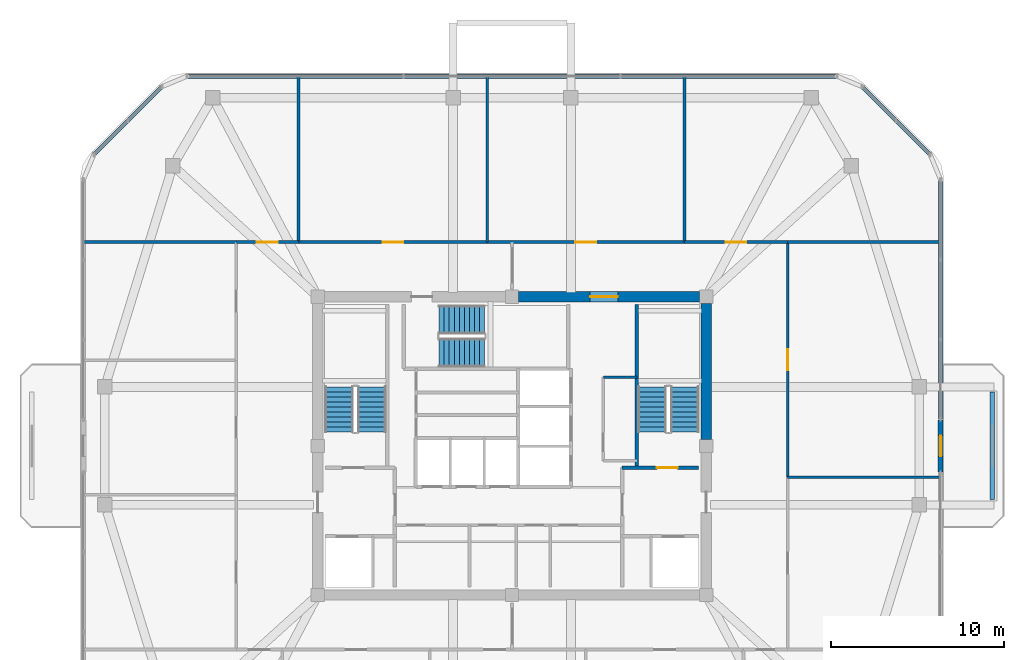
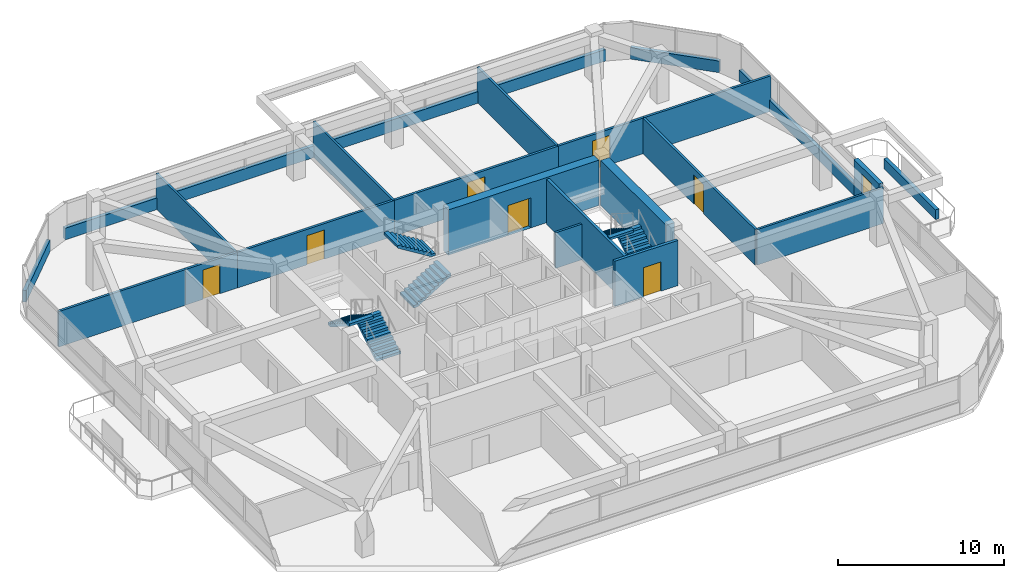
# One storey, part 11 of 13: 22 walls, 8 doors, 6 stair flights, 8 openings, 3 elements without a shape of their own.
"""IFC4 building model written with IfcOpenShell, lengths in metres."""

from ifc_helpers import new_model, si_unit, derived_unit, direction, frame, frame_2d, origin, place, context, subcontext, project, spatial, polyline, rectangle, outline, extrude, material, layer, layer_set, type_object, element, fill, aggregate, save


model = new_model("IFC4")

# Units and contexts
model_context = context("Model", 3, precision=1e-05, world=origin(), true_north=direction((0.0, 1.0)))
body_context = subcontext(model_context, "Body", "Model", "MODEL_VIEW")
ifc_project = project(units=[si_unit("LENGTHUNIT", "METRE"), si_unit("AREAUNIT", "SQUARE_METRE"), si_unit("VOLUMEUNIT", "CUBIC_METRE"), si_unit("PLANEANGLEUNIT", "RADIAN"), si_unit("MASSUNIT", "GRAM", prefix="KILO"), derived_unit("THERMALTRANSMITTANCEUNIT", [(si_unit("POWERUNIT", "WATT"), 1), (si_unit("LENGTHUNIT", "METRE"), -2), (si_unit("THERMODYNAMICTEMPERATUREUNIT", "KELVIN"), -1)])], contexts=[model_context])

# Site, building, storey
site_placement = place(None, origin())
site = spatial("IfcSite", under=ifc_project, at=site_placement, CompositionType="ELEMENT")
building_placement = place(site_placement, origin())
building = spatial("IfcBuilding", under=site, at=building_placement, Name="Koralith Skygarden Medical Center", CompositionType="ELEMENT")
storey_placement = place(building_placement, frame((0.0, 0.0, 271.6201171875)))
storey = spatial("IfcBuildingStorey", under=building, at=storey_placement, Name="L70", CompositionType="ELEMENT", Elevation=271.6201171875)

# Walls
ifc_material_1 = material(Name="Gypsum Board Partition")
ifc_layer_1 = layer(ifc_material_1, 0.14990234375)
ifc_layer_set_1 = layer_set([ifc_layer_1], Name="Gypsum Board Partition")
wall_type_1 = type_object("IfcWallType", Name="Clinical Acoustic Partition 150", PredefinedType="PARTITIONING", material=ifc_layer_set_1)
wall_1_placement = place(storey_placement, frame((42.27001953125, 29.860107421875, 0.0), z_axis=(0.0, 0.0, 1.0), x_axis=(1.0, 0.0, 0.0)))
element("IfcWall", 1, at=wall_1_placement, inside=storey, type_object=wall_type_1, Name="L70 Clinical Acoustic Partition 150 W-CORE-L70-ESUB-N", PredefinedType="PARTITIONING", context=body_context, shape_type="SweptSolid", body=[
    extrude(rectangle(XDim=1.929931640625, YDim=0.14990234375, at=frame_2d((0.96484375, 0.0))), origin(), (0.0, 0.0, 1.0), 2.60986328125),
])
for number, where, z_axis, x_axis, name in (
    (2, (24.68603515625, 37.64990234375, 0.0), (0.0, 0.0, 1.0), (0.0, 1.0, 0.0), "L70 Clinical Acoustic Partition 150 W-PART-L70-N-01"),
    (3, (35.5791015625, 37.64990234375, 0.0), (0.0, 0.0, 1.0), (0.0, 1.0, 0.0), "L70 Clinical Acoustic Partition 150 W-PART-L70-N-02"),
    (4, (46.946044921875, 37.64990234375, 0.0), (0.0, 0.0, 1.0), (0.0, 1.0, 0.0), "L70 Clinical Acoustic Partition 150 W-PART-L70-N-03"),
):
    element("IfcWall", number, at=place(storey_placement, frame(where, z_axis=z_axis, x_axis=x_axis)), inside=storey, type_object=wall_type_1, Name=name, PredefinedType="PARTITIONING", context=body_context, shape_type="SweptSolid", body=[
        extrude(rectangle(XDim=9.550048828125, YDim=0.14990234375, at=frame_2d((4.77490234375, 0.0))), origin(), (0.0, 0.0, 1.0), 2.60986328125),
    ])
wall_2_placement = place(storey_placement, frame((52.89990234375, 24.10009765625, 0.0), z_axis=(0.0, 0.0, 1.0), x_axis=(1.0, 0.0, 0.0)))
element("IfcWall", 5, at=wall_2_placement, inside=storey, type_object=wall_type_1, Name="L70 Clinical Acoustic Partition 150 W-PART-L70-E-01", PredefinedType="PARTITIONING", context=body_context, shape_type="SweptSolid", body=[
    extrude(rectangle(XDim=8.800048828125, YDim=0.14990234375, at=frame_2d((4.39990234375, 0.0))), origin(), (0.0, 0.0, 1.0), 2.60986328125),
])
ifc_layer_2 = layer(ifc_material_1, 0.1650390625)
ifc_layer_set_2 = layer_set([ifc_layer_2], Name="Gypsum Board Partition")
wall_type_2 = type_object("IfcWallType", Name="Clinical Corridor Partition 165", PredefinedType="PARTITIONING", material=ifc_layer_set_2)
for number, where, z_axis, x_axis, name in (
    (6, (12.300048828125, 37.64990234375, 0.0), (0.0, 0.0, 1.0), (1.0, 0.0, 0.0), "L70 Clinical Corridor Partition 165 W-WB-L70-NW"),
    (7, (52.89990234375, 37.64990234375, 0.0), (0.0, 0.0, 1.0), (1.0, 0.0, 0.0), "L70 Clinical Corridor Partition 165 W-WB-L70-NE"),
):
    element("IfcWall", number, at=place(storey_placement, frame(where, z_axis=z_axis, x_axis=x_axis)), inside=storey, type_object=wall_type_2, Name=name, PredefinedType="PARTITIONING", context=body_context, shape_type="SweptSolid", body=[
        extrude(rectangle(XDim=8.800048828125, YDim=0.1650390625, at=frame_2d((4.39990234375, 0.0))), origin(), (0.0, 0.0, 1.0), 2.60986328125),
    ])

# Wall, opening, door
wall_3_placement = place(storey_placement, frame((21.10009765625, 37.64990234375, 0.0), z_axis=(0.0, 0.0, 1.0), x_axis=(1.0, 0.0, 0.0)))
wall_3 = element("IfcWall", 8, at=wall_3_placement, inside=storey, type_object=wall_type_2, Name="L70 Clinical Corridor Partition 165 W-CORR-L70-N-01", PredefinedType="PARTITIONING", context=body_context, shape_type="SweptSolid", body=[
    extrude(rectangle(XDim=3.5859375, YDim=0.1650390625, at=frame_2d((1.79296875, 0.0))), origin(), (0.0, 0.0, 1.0), 2.60986328125),
])
opening_1_placement = place(wall_3_placement, frame((1.193115234375, 0.0, 0.0)))
opening_1 = element("IfcOpeningElement", 9, at=opening_1_placement, cuts=wall_3, Name="Opening D-CLN", PredefinedType="OPENING", context=body_context, shape_type="SweptSolid", body=[
    extrude(rectangle(XDim=1.199951171875, YDim=2.14990234375, at=frame_2d((0.60009765625, 1.074951171875))), frame((0.0, 0.092529296875, 0.0), z_axis=(0.0, -1.0, 0.0), x_axis=(1.0, 0.0, 0.0)), (0.0, 0.0, 1.0), 0.18505859375),
])
ifc_material_2 = material(Name="Aluminium 6063-T6", Category="aluminium")
door_type_1 = type_object("IfcDoorType", Name="Clinical Corridor Door D-CLN 1200", OperationType="NOTDEFINED", PredefinedType="DOOR", material=ifc_material_2)
door_1_placement = place(opening_1_placement, origin())
door_1 = element("IfcDoor", 10, at=door_1_placement, inside=storey, type_object=door_type_1, Name="L70 Pulmonary Rehab Exercise Hall 01 Door", OperationType="SINGLE_SWING_RIGHT", OverallHeight=2.14990234375, OverallWidth=1.199951171875, PredefinedType="DOOR", context=body_context, shape_type="SweptSolid", body=[
    extrude(rectangle(XDim=1.199951171875, YDim=2.14990234375, at=frame_2d((0.60009765625, 1.074951171875))), frame((0.0, 0.02490234375, 0.0), z_axis=(0.0, -1.0, 0.0), x_axis=(1.0, 0.0, 0.0)), (0.0, 0.0, 1.0), 0.050048828125),
])
fill(opening_1, door_1)

wall_4_placement = place(storey_placement, frame((24.68603515625, 37.64990234375, 0.0), z_axis=(0.0, 0.0, 1.0), x_axis=(1.0, 0.0, 0.0)))
wall_4 = element("IfcWall", 11, at=wall_4_placement, inside=storey, type_object=wall_type_2, Name="L70 Clinical Corridor Partition 165 W-CORR-L70-N-02", PredefinedType="PARTITIONING", context=body_context, shape_type="SweptSolid", body=[
    extrude(rectangle(XDim=10.89306640625, YDim=0.1650390625, at=frame_2d((5.446533203125, 0.0))), origin(), (0.0, 0.0, 1.0), 2.60986328125),
])
opening_2_placement = place(wall_4_placement, frame((4.846923828125, 0.0, 0.0)))
opening_2 = element("IfcOpeningElement", 12, at=opening_2_placement, cuts=wall_4, Name="Opening D-CLN", PredefinedType="OPENING", context=body_context, shape_type="SweptSolid", body=[
    extrude(rectangle(XDim=1.199951171875, YDim=2.14990234375, at=frame_2d((0.60009765625, 1.074951171875))), frame((0.0, 0.092529296875, 0.0), z_axis=(0.0, -1.0, 0.0), x_axis=(1.0, 0.0, 0.0)), (0.0, 0.0, 1.0), 0.18505859375),
])
door_2_placement = place(opening_2_placement, origin())
door_2 = element("IfcDoor", 13, at=door_2_placement, inside=storey, type_object=door_type_1, Name="L70 Patient Smoothie Pantry 02 Door", OperationType="SINGLE_SWING_LEFT", OverallHeight=2.14990234375, OverallWidth=1.199951171875, PredefinedType="DOOR", context=body_context, shape_type="SweptSolid", body=[
    extrude(rectangle(XDim=1.199951171875, YDim=2.14990234375, at=frame_2d((0.60009765625, 1.074951171875))), frame((0.0, 0.02490234375, 0.0), z_axis=(0.0, -1.0, 0.0), x_axis=(1.0, 0.0, 0.0)), (0.0, 0.0, 1.0), 0.050048828125),
])
fill(opening_2, door_2)

wall_5_placement = place(storey_placement, frame((35.5791015625, 37.64990234375, 0.0), z_axis=(0.0, 0.0, 1.0), x_axis=(1.0, 0.0, 0.0)))
wall_5 = element("IfcWall", 14, at=wall_5_placement, inside=storey, type_object=wall_type_2, Name="L70 Clinical Corridor Partition 165 W-CORR-L70-N-03", PredefinedType="PARTITIONING", context=body_context, shape_type="SweptSolid", body=[
    extrude(rectangle(XDim=11.366943359375, YDim=0.1650390625, at=frame_2d((5.68359375, 0.0))), origin(), (0.0, 0.0, 1.0), 2.60986328125),
])
opening_3_placement = place(wall_5_placement, frame((5.0830078125, 0.0, 0.0)))
opening_3 = element("IfcOpeningElement", 15, at=opening_3_placement, cuts=wall_5, Name="Opening D-CLN", PredefinedType="OPENING", context=body_context, shape_type="SweptSolid", body=[
    extrude(rectangle(XDim=1.199951171875, YDim=2.14990234375, at=frame_2d((0.60009765625, 1.074951171875))), frame((0.0, 0.092529296875, 0.0), z_axis=(0.0, -1.0, 0.0), x_axis=(1.0, 0.0, 0.0)), (0.0, 0.0, 1.0), 0.18505859375),
])
door_3_placement = place(opening_3_placement, origin())
door_3 = element("IfcDoor", 16, at=door_3_placement, inside=storey, type_object=door_type_1, Name="L70 Respiratory Family Lounge 03 Door", OperationType="SINGLE_SWING_RIGHT", OverallHeight=2.14990234375, OverallWidth=1.199951171875, PredefinedType="DOOR", context=body_context, shape_type="SweptSolid", body=[
    extrude(rectangle(XDim=1.199951171875, YDim=2.14990234375, at=frame_2d((0.60009765625, 1.074951171875))), frame((0.0, 0.02490234375, 0.0), z_axis=(0.0, -1.0, 0.0), x_axis=(1.0, 0.0, 0.0)), (0.0, 0.0, 1.0), 0.050048828125),
])
fill(opening_3, door_3)

wall_6_placement = place(storey_placement, frame((46.946044921875, 37.64990234375, 0.0), z_axis=(0.0, 0.0, 1.0), x_axis=(1.0, 0.0, 0.0)))
wall_6 = element("IfcWall", 17, at=wall_6_placement, inside=storey, type_object=wall_type_2, Name="L70 Clinical Corridor Partition 165 W-CORR-L70-N-04", PredefinedType="PARTITIONING", context=body_context, shape_type="SweptSolid", body=[
    extrude(rectangle(XDim=5.953857421875, YDim=0.1650390625, at=frame_2d((2.97705078125, 0.0))), origin(), (0.0, 0.0, 1.0), 2.60986328125),
])
opening_4_placement = place(wall_6_placement, frame((2.376953125, 0.0, 0.0)))
opening_4 = element("IfcOpeningElement", 18, at=opening_4_placement, cuts=wall_6, Name="Opening D-CLN", PredefinedType="OPENING", context=body_context, shape_type="SweptSolid", body=[
    extrude(rectangle(XDim=1.199951171875, YDim=2.14990234375, at=frame_2d((0.60009765625, 1.074951171875))), frame((0.0, 0.092529296875, 0.0), z_axis=(0.0, -1.0, 0.0), x_axis=(1.0, 0.0, 0.0)), (0.0, 0.0, 1.0), 0.18505859375),
])
door_4_placement = place(opening_4_placement, origin())
door_4 = element("IfcDoor", 19, at=door_4_placement, inside=storey, type_object=door_type_1, Name="L70 Oxygen Cylinder Alcove Store 04 Door", OperationType="SINGLE_SWING_LEFT", OverallHeight=2.14990234375, OverallWidth=1.199951171875, PredefinedType="DOOR", context=body_context, shape_type="SweptSolid", body=[
    extrude(rectangle(XDim=1.199951171875, YDim=2.14990234375, at=frame_2d((0.60009765625, 1.074951171875))), frame((0.0, 0.02490234375, 0.0), z_axis=(0.0, -1.0, 0.0), x_axis=(1.0, 0.0, 0.0)), (0.0, 0.0, 1.0), 0.050048828125),
])
fill(opening_4, door_4)

wall_7_placement = place(storey_placement, frame((52.89990234375, 24.10009765625, 0.0), z_axis=(0.0, 0.0, 1.0), x_axis=(0.0, 1.0, 0.0)))
wall_7 = element("IfcWall", 20, at=wall_7_placement, inside=storey, type_object=wall_type_2, Name="L70 Clinical Corridor Partition 165 W-CORR-L70-E-02", PredefinedType="PARTITIONING", context=body_context, shape_type="SweptSolid", body=[
    extrude(rectangle(XDim=13.5498046875, YDim=0.1650390625, at=frame_2d((6.77490234375, 0.0))), origin(), (0.0, 0.0, 1.0), 2.60986328125),
])
opening_5_placement = place(wall_7_placement, frame((6.175048828125, 0.0, 0.0)))
opening_5 = element("IfcOpeningElement", 21, at=opening_5_placement, cuts=wall_7, Name="Opening D-CLN", PredefinedType="OPENING", context=body_context, shape_type="SweptSolid", body=[
    extrude(rectangle(XDim=1.199951171875, YDim=2.14990234375, at=frame_2d((0.60009765625, 1.074951171875))), frame((0.0, 0.092529296875, 0.0), z_axis=(0.0, -1.0, 0.0), x_axis=(1.0, 0.0, 0.0)), (0.0, 0.0, 1.0), 0.18505859375),
])
door_5_placement = place(opening_5_placement, origin())
door_5 = element("IfcDoor", 22, at=door_5_placement, inside=storey, type_object=door_type_1, Name="L70 Patient and Family Sky-Garden Day Lounge 14 Door", OperationType="SINGLE_SWING_LEFT", OverallHeight=2.14990234375, OverallWidth=1.199951171875, PredefinedType="DOOR", context=body_context, shape_type="SweptSolid", body=[
    extrude(rectangle(XDim=1.199951171875, YDim=2.14990234375, at=frame_2d((0.60009765625, 1.074951171875))), frame((0.0, 0.02490234375, 0.0), z_axis=(0.0, -1.0, 0.0), x_axis=(1.0, 0.0, 0.0)), (0.0, 0.0, 1.0), 0.050048828125),
])
fill(opening_5, door_5)

# Walls
ifc_material_3 = material(Name="Warm Oolitic Limestone Cladding", Category="masonry")
ifc_layer_3 = layer(ifc_material_3, 0.239990234375)
ifc_layer_set_3 = layer_set([ifc_layer_3], Name="Warm Oolitic Limestone Cladding")
wall_type_3 = type_object("IfcWallType", Name="Limestone Spandrel Sill Backup Wall 240", PredefinedType="SOLIDWALL", material=ifc_layer_set_3)
wall_8_placement = place(storey_placement, frame((61.719970703125, 27.43994140625, 0.0), z_axis=(0.0, 0.0, 1.0), x_axis=(0.0, 1.0, 0.0)))
element("IfcWall", 23, at=wall_8_placement, inside=storey, type_object=wall_type_3, Name="L70 Sill Spandrel E-R", PredefinedType="SOLIDWALL", context=body_context, shape_type="SweptSolid", body=[
    extrude(rectangle(XDim=13.80517578125, YDim=0.239990234375, at=frame_2d((6.902587890625, 0.0))), origin(), (0.0, 0.0, 1.0), 0.849853515625),
])
wall_9_placement = place(storey_placement, frame((61.118896484375, 42.696044921875, 0.0), z_axis=(0.0, 0.0, 1.0), x_axis=(-0.707106781187, 0.707106781187, 0.0)))
element("IfcWall", 24, at=wall_9_placement, inside=storey, type_object=wall_type_3, Name="L70 Sill Spandrel NE", PredefinedType="SOLIDWALL", context=body_context, shape_type="SweptSolid", body=[
    extrude(rectangle(XDim=5.5478515625, YDim=0.239990234375, at=frame_2d((2.77392578125, 0.0))), origin(), (0.0, 0.0, 1.0), 0.849853515625),
])
wall_10_placement = place(storey_placement, frame((55.7451171875, 47.219970703125, 0.0), z_axis=(0.0, 0.0, 1.0), x_axis=(-1.0, 0.0, 0.0)))
element("IfcWall", 25, at=wall_10_placement, inside=storey, type_object=wall_type_3, Name="L70 Sill Spandrel N", PredefinedType="SOLIDWALL", context=body_context, shape_type="SweptSolid", body=[
    extrude(rectangle(XDim=37.490234375, YDim=0.239990234375, at=frame_2d((18.7451171875, 0.0))), origin(), (0.0, 0.0, 1.0), 0.849853515625),
])
wall_11_placement = place(storey_placement, frame((16.803955078125, 46.618896484375, 0.0), z_axis=(0.0, 0.0, 1.0), x_axis=(-0.707106781187, -0.707106781187, 0.0)))
element("IfcWall", 26, at=wall_11_placement, inside=storey, type_object=wall_type_3, Name="L70 Sill Spandrel NW", PredefinedType="SOLIDWALL", context=body_context, shape_type="SweptSolid", body=[
    extrude(rectangle(XDim=5.5478515625, YDim=0.239990234375, at=frame_2d((2.77392578125, 0.0))), origin(), (0.0, 0.0, 1.0), 0.849853515625),
])

# Wall, opening, door
ifc_layer_4 = layer(ifc_material_3, 0.300048828125)
ifc_layer_set_4 = layer_set([ifc_layer_4], Name="Warm Oolitic Limestone Cladding")
wall_type_4 = type_object("IfcWallType", Name="Oolitic Limestone Insulated Facade Wall 300", PredefinedType="SOLIDWALL", material=ifc_layer_set_4)
wall_12_placement = place(storey_placement, frame((61.719970703125, 24.39990234375, 0.0), z_axis=(0.0, 0.0, 1.0), x_axis=(0.0, 1.0, 0.0)))
wall_12 = element("IfcWall", 27, at=wall_12_placement, inside=storey, type_object=wall_type_4, Name="L70 Terrace Portal Wall E", PredefinedType="SOLIDWALL", context=body_context, shape_type="SweptSolid", body=[
    extrude(rectangle(XDim=3.0, YDim=0.300048828125, at=frame_2d((1.5, 0.0))), origin(), (0.0, 0.0, 1.0), 2.68994140625),
])
opening_6_placement = place(wall_12_placement, frame((0.89990234375, 0.0, 0.0)))
opening_6 = element("IfcOpeningElement", 28, at=opening_6_placement, cuts=wall_12, Name="Opening D-BAL", PredefinedType="OPENING", context=body_context, shape_type="SweptSolid", body=[
    extrude(rectangle(XDim=1.199951171875, YDim=2.199951171875, at=frame_2d((0.60009765625, 1.10009765625))), frame((0.0, 0.159912109375, 0.0), z_axis=(0.0, -1.0, 0.0), x_axis=(1.0, 0.0, 0.0)), (0.0, 0.0, 1.0), 0.320068359375),
])
door_type_2 = type_object("IfcDoorType", Name="Planted Balcony Glazed Terrace Door D-BAL 1200", OperationType="NOTDEFINED", PredefinedType="DOOR", material=ifc_material_2)
door_6_placement = place(opening_6_placement, origin())
door_6 = element("IfcDoor", 29, at=door_6_placement, inside=storey, type_object=door_type_2, Name="L70 E Outdoor Terrace Access Door", OperationType="SINGLE_SWING_LEFT", OverallHeight=2.199951171875, OverallWidth=1.199951171875, PredefinedType="DOOR", context=body_context, shape_type="SweptSolid", body=[
    extrude(rectangle(XDim=1.199951171875, YDim=2.199951171875, at=frame_2d((0.60009765625, 1.10009765625))), frame((0.0, 0.02490234375, 0.0), z_axis=(0.0, -1.0, 0.0), x_axis=(1.0, 0.0, 0.0)), (0.0, 0.0, 1.0), 0.050048828125),
])
fill(opening_6, door_6)

# Walls
ifc_material_4 = material(Name="Precast concrete C40/50", Category="concrete")
ifc_layer_5 = layer(ifc_material_4, 0.25)
ifc_layer_set_5 = layer_set([ifc_layer_5], Name="Precast concrete C40/50")
wall_type_5 = type_object("IfcWallType", Name="Structural Concrete Balcony Planter Kerb 250", PredefinedType="PARAPET", material=ifc_layer_set_5)
wall_13_placement = place(storey_placement, frame((64.699951171875, 22.800048828125, 0.0), z_axis=(0.0, 0.0, 1.0), x_axis=(0.0, 1.0, 0.0)))
element("IfcWall", 30, at=wall_13_placement, inside=storey, type_object=wall_type_5, Name="L70 E Structural Tree PLANTER Box", PredefinedType="PARAPET", context=body_context, shape_type="SweptSolid", body=[
    extrude(rectangle(XDim=6.199951171875, YDim=0.25, at=frame_2d((3.10009765625, 0.0))), origin(), (0.0, 0.0, 1.0), 0.719970703125),
])
ifc_material_5 = material(Name="Concrete C45/55", Category="concrete")
ifc_layer_6 = layer(ifc_material_5, 0.199951171875)
ifc_layer_set_6 = layer_set([ifc_layer_6], Name="Concrete C45/55")
wall_type_6 = type_object("IfcWallType", Name="Structural Stair Shaft Wall 200", PredefinedType="SHEAR", material=ifc_layer_set_6)
wall_14_placement = place(storey_placement, frame((44.199951171875, 24.64990234375, 0.0), z_axis=(0.0, 0.0, 1.0), x_axis=(0.0, 1.0, 0.0)))
element("IfcWall", 31, at=wall_14_placement, inside=storey, type_object=wall_type_6, Name="L70 Structural Stair Shaft Wall 200 W-CORE-L70-ST2-W", PredefinedType="SHEAR", context=body_context, shape_type="SweptSolid", body=[
    extrude(rectangle(XDim=9.400146484375, YDim=0.199951171875, at=frame_2d((4.7001953125, 0.0))), origin(), (0.0, 0.0, 1.0), 3.31982421875),
])

# Wall, opening, door
wall_15_placement = place(storey_placement, frame((43.35009765625, 24.64990234375, 0.0), z_axis=(0.0, 0.0, 1.0), x_axis=(1.0, 0.0, 0.0)))
wall_15 = element("IfcWall", 32, at=wall_15_placement, inside=storey, type_object=wall_type_6, Name="L70 Structural Stair Shaft Wall 200 W-CORE-L70-ST2-S", PredefinedType="SHEAR", context=body_context, shape_type="SweptSolid", body=[
    extrude(rectangle(XDim=4.39990234375, YDim=0.199951171875, at=frame_2d((2.199951171875, 0.0))), origin(), (0.0, 0.0, 1.0), 3.31982421875),
])
opening_7_placement = place(wall_15_placement, frame((2.0, 0.0, 0.0)))
opening_7 = element("IfcOpeningElement", 33, at=opening_7_placement, cuts=wall_15, Name="Opening D-ST60", PredefinedType="OPENING", context=body_context, shape_type="SweptSolid", body=[
    extrude(rectangle(XDim=1.199951171875, YDim=2.14990234375, at=frame_2d((0.60009765625, 1.074951171875))), frame((0.0, 0.10986328125, 0.0), z_axis=(0.0, -1.0, 0.0), x_axis=(1.0, 0.0, 0.0)), (0.0, 0.0, 1.0), 0.219970703125),
])
ifc_material_6 = material(Name="Steel ASTM A500 Grade C", Category="steel")
door_type_3 = type_object("IfcDoorType", Name="Smokeproof Stair Fire Door FD60S 1200", OperationType="NOTDEFINED", PredefinedType="DOOR", material=ifc_material_6)
door_7_placement = place(opening_7_placement, origin())
door_7 = element("IfcDoor", 34, at=door_7_placement, inside=storey, type_object=door_type_3, Name="L70 Exit Stair ST2 Fire Door", OperationType="SINGLE_SWING_RIGHT", OverallHeight=2.14990234375, OverallWidth=1.199951171875, PredefinedType="DOOR", context=body_context, shape_type="SweptSolid", body=[
    extrude(rectangle(XDim=1.199951171875, YDim=2.14990234375, at=frame_2d((0.60009765625, 1.074951171875))), frame((0.0, 0.02490234375, 0.0), z_axis=(0.0, -1.0, 0.0), x_axis=(1.0, 0.0, 0.0)), (0.0, 0.0, 1.0), 0.050048828125),
])
fill(opening_7, door_7)

# Wall
ifc_material_7 = material(Name="Concrete C55/67", Category="concrete")
ifc_layer_7 = layer(ifc_material_7, 0.60009765625)
ifc_layer_set_7 = layer_set([ifc_layer_7], Name="Concrete C55/67")
wall_type_7 = type_object("IfcWallType", Name="Upper Core Shear Wall 600", PredefinedType="SHEAR", material=ifc_layer_set_7)
wall_16_placement = place(storey_placement, frame((48.199951171875, 26.27490234375, 0.0), z_axis=(0.0, 0.0, 1.0), x_axis=(0.0, 1.0, 0.0)))
element("IfcWall", 35, at=wall_16_placement, inside=storey, type_object=wall_type_7, Name="L70 Core Shear Wall Segment 4", PredefinedType="SHEAR", context=body_context, shape_type="SweptSolid", body=[
    extrude(rectangle(XDim=7.85009765625, YDim=0.60009765625, at=frame_2d((3.925048828125, 0.0))), origin(), (0.0, 0.0, 1.0), 3.31982421875),
])

# Wall, opening, door
wall_17_placement = place(storey_placement, frame((47.824951171875, 34.5, 0.0), z_axis=(0.0, 0.0, 1.0), x_axis=(-1.0, 0.0, 0.0)))
wall_17 = element("IfcWall", 36, at=wall_17_placement, inside=storey, type_object=wall_type_7, Name="L70 Core Shear Wall Segment 5", PredefinedType="SHEAR", context=body_context, shape_type="SweptSolid", body=[
    extrude(rectangle(XDim=10.449951171875, YDim=0.60009765625, at=frame_2d((5.22509765625, 0.0))), origin(), (0.0, 0.0, 1.0), 3.31982421875),
])
opening_8_placement = place(wall_17_placement, frame((4.72509765625, 0.0, 0.0)))
opening_8 = element("IfcOpeningElement", 37, at=opening_8_placement, cuts=wall_17, Name="Opening D-DBL", PredefinedType="OPENING", context=body_context, shape_type="SweptSolid", body=[
    extrude(rectangle(XDim=1.60009765625, YDim=2.199951171875, at=frame_2d((0.800048828125, 1.10009765625))), frame((0.0, 0.31005859375, 0.0), z_axis=(0.0, -1.0, 0.0), x_axis=(1.0, 0.0, 0.0)), (0.0, 0.0, 1.0), 0.6201171875),
])
door_type_4 = type_object("IfcDoorType", Name="Double Clinical Suite Door D-DBL 1600", OperationType="NOTDEFINED", PredefinedType="DOOR", material=ifc_material_2)
door_8_placement = place(opening_8_placement, frame((1.60009765625, 0.0, 0.0), z_axis=(0.0, 0.0, 1.0), x_axis=(-1.0, 0.0, 0.0)))
door_8 = element("IfcDoor", 38, at=door_8_placement, inside=storey, type_object=door_type_4, Name="L70 North-East Corridor to Elevator Lobby Door", OperationType="DOUBLE_DOOR_SINGLE_SWING", OverallHeight=2.199951171875, OverallWidth=1.60009765625, PredefinedType="DOOR", context=body_context, shape_type="SweptSolid", body=[
    extrude(rectangle(XDim=1.60009765625, YDim=2.199951171875, at=frame_2d((0.800048828125, 1.10009765625))), frame((0.0, 0.02490234375, 0.0), z_axis=(0.0, -1.0, 0.0), x_axis=(1.0, 0.0, 0.0)), (0.0, 0.0, 1.0), 0.050048828125),
])
fill(opening_8, door_8)

# Stair, stair flights
stair_type = type_object("IfcStairType", Name="Core Exit Dogleg Concrete Stair", PredefinedType="HALF_TURN_STAIR", material=ifc_material_5)
stair_1_placement = place(storey_placement, origin())
stair_1 = element("IfcStair", 39, at=stair_1_placement, inside=storey, type_object=stair_type, Name="L70 Smokeproof Exit Stair ST1", PredefinedType="HALF_TURN_STAIR")
stair_flight_type = type_object("IfcStairFlightType", Name="Core Exit Concrete Stair Flight 1650", PredefinedType="STRAIGHT", material=ifc_material_5)
stair_flight_1_placement = place(storey_placement, frame((28.925048828125, 26.699951171875, 0.0), z_axis=(0.0, 0.0, 1.0), x_axis=(0.0, 1.0, 0.0)))
stair_flight_1 = element("IfcStairFlight", 40, at=stair_flight_1_placement, type_object=stair_flight_type, Name="ST1 flight 1", NumberOfRisers=10, NumberOfTreads=9, PredefinedType="STRAIGHT", RiserHeight=0.18, TreadLength=0.29, context=body_context, shape_type="SweptSolid", body=[
    extrude(outline(polyline([(0.0, 0.0), (0.0, 0.179931640625), (0.2900390625, 0.179931640625), (0.2900390625, 0.360107421875), (0.580078125, 0.360107421875), (0.580078125, 0.5400390625), (0.8701171875, 0.5400390625), (0.8701171875, 0.719970703125), (1.159912109375, 0.719970703125), (1.159912109375, 0.89990234375), (1.449951171875, 0.89990234375), (1.449951171875, 1.080078125), (1.739990234375, 1.080078125), (1.739990234375, 1.260009765625), (2.030029296875, 1.260009765625), (2.030029296875, 1.43994140625), (2.320068359375, 1.43994140625), (2.320068359375, 1.6201171875), (2.610107421875, 1.6201171875), (2.610107421875, 1.800048828125), (2.610107421875, 1.443603515625), (0.2841796875, 0.0), (0.0, 0.0)])), frame((0.0, 0.824951171875, 0.0), z_axis=(0.0, -1.0, 0.0), x_axis=(1.0, 0.0, 0.0)), (0.0, 0.0, 1.0), 1.64990234375),
])
stair_flight_2_placement = place(storey_placement, frame((27.02490234375, 29.31005859375, 1.7998046875), z_axis=(0.0, 0.0, 1.0), x_axis=(0.0, -1.0, 0.0)))
stair_flight_2 = element("IfcStairFlight", 41, at=stair_flight_2_placement, type_object=stair_flight_type, Name="ST1 flight 2", NumberOfRisers=10, NumberOfTreads=9, PredefinedType="STRAIGHT", RiserHeight=0.18, TreadLength=0.29, context=body_context, shape_type="SweptSolid", body=[
    extrude(outline(polyline([(0.0, 0.0), (0.0, 0.179931640625), (0.2900390625, 0.179931640625), (0.2900390625, 0.360107421875), (0.580078125, 0.360107421875), (0.580078125, 0.5400390625), (0.8701171875, 0.5400390625), (0.8701171875, 0.719970703125), (1.159912109375, 0.719970703125), (1.159912109375, 0.89990234375), (1.449951171875, 0.89990234375), (1.449951171875, 1.080078125), (1.739990234375, 1.080078125), (1.739990234375, 1.260009765625), (2.030029296875, 1.260009765625), (2.030029296875, 1.43994140625), (2.320068359375, 1.43994140625), (2.320068359375, 1.6201171875), (2.610107421875, 1.6201171875), (2.610107421875, 1.800048828125), (2.610107421875, 1.443603515625), (0.2841796875, 0.0), (0.0, 0.0)])), frame((0.0, 0.824951171875, 0.0), z_axis=(0.0, -1.0, 0.0), x_axis=(1.0, 0.0, 0.0)), (0.0, 0.0, 1.0), 1.64990234375),
])
aggregate(stair_1, [stair_flight_1, stair_flight_2])

stair_2_placement = place(storey_placement, origin())
stair_2 = element("IfcStair", 42, at=stair_2_placement, inside=storey, type_object=stair_type, Name="L70 Smokeproof Exit Stair ST2", PredefinedType="HALF_TURN_STAIR")
stair_flight_3_placement = place(storey_placement, frame((46.97509765625, 26.699951171875, 0.0), z_axis=(0.0, 0.0, 1.0), x_axis=(0.0, 1.0, 0.0)))
stair_flight_3 = element("IfcStairFlight", 43, at=stair_flight_3_placement, type_object=stair_flight_type, Name="ST2 flight 1", NumberOfRisers=10, NumberOfTreads=9, PredefinedType="STRAIGHT", RiserHeight=0.18, TreadLength=0.29, context=body_context, shape_type="SweptSolid", body=[
    extrude(outline(polyline([(0.0, 0.0), (0.0, 0.179931640625), (0.2900390625, 0.179931640625), (0.2900390625, 0.360107421875), (0.580078125, 0.360107421875), (0.580078125, 0.5400390625), (0.8701171875, 0.5400390625), (0.8701171875, 0.719970703125), (1.159912109375, 0.719970703125), (1.159912109375, 0.89990234375), (1.449951171875, 0.89990234375), (1.449951171875, 1.080078125), (1.739990234375, 1.080078125), (1.739990234375, 1.260009765625), (2.030029296875, 1.260009765625), (2.030029296875, 1.43994140625), (2.320068359375, 1.43994140625), (2.320068359375, 1.6201171875), (2.610107421875, 1.6201171875), (2.610107421875, 1.800048828125), (2.610107421875, 1.443603515625), (0.2841796875, 0.0), (0.0, 0.0)])), frame((0.0, 0.824951171875, 0.0), z_axis=(0.0, -1.0, 0.0), x_axis=(1.0, 0.0, 0.0)), (0.0, 0.0, 1.0), 1.64990234375),
])
stair_flight_4_placement = place(storey_placement, frame((45.074951171875, 29.31005859375, 1.7998046875), z_axis=(0.0, 0.0, 1.0), x_axis=(0.0, -1.0, 0.0)))
stair_flight_4 = element("IfcStairFlight", 44, at=stair_flight_4_placement, type_object=stair_flight_type, Name="ST2 flight 2", NumberOfRisers=10, NumberOfTreads=9, PredefinedType="STRAIGHT", RiserHeight=0.18, TreadLength=0.29, context=body_context, shape_type="SweptSolid", body=[
    extrude(outline(polyline([(0.0, 0.0), (0.0, 0.179931640625), (0.2900390625, 0.179931640625), (0.2900390625, 0.360107421875), (0.580078125, 0.360107421875), (0.580078125, 0.5400390625), (0.8701171875, 0.5400390625), (0.8701171875, 0.719970703125), (1.159912109375, 0.719970703125), (1.159912109375, 0.89990234375), (1.449951171875, 0.89990234375), (1.449951171875, 1.080078125), (1.739990234375, 1.080078125), (1.739990234375, 1.260009765625), (2.030029296875, 1.260009765625), (2.030029296875, 1.43994140625), (2.320068359375, 1.43994140625), (2.320068359375, 1.6201171875), (2.610107421875, 1.6201171875), (2.610107421875, 1.800048828125), (2.610107421875, 1.443603515625), (0.2841796875, 0.0), (0.0, 0.0)])), frame((0.0, 0.824951171875, 0.0), z_axis=(0.0, -1.0, 0.0), x_axis=(1.0, 0.0, 0.0)), (0.0, 0.0, 1.0), 1.64990234375),
])
aggregate(stair_2, [stair_flight_3, stair_flight_4])

stair_3_placement = place(storey_placement, origin())
stair_3 = element("IfcStair", 45, at=stair_3_placement, inside=storey, type_object=stair_type, Name="L70 Smokeproof Exit Stair ST3", PredefinedType="HALF_TURN_STAIR")
stair_flight_5_placement = place(storey_placement, frame((32.800048828125, 31.27490234375, 0.0), z_axis=(0.0, 0.0, 1.0), x_axis=(1.0, 0.0, 0.0)))
stair_flight_5 = element("IfcStairFlight", 46, at=stair_flight_5_placement, type_object=stair_flight_type, Name="ST3 flight 1", NumberOfRisers=10, NumberOfTreads=9, PredefinedType="STRAIGHT", RiserHeight=0.18, TreadLength=0.29, context=body_context, shape_type="SweptSolid", body=[
    extrude(outline(polyline([(0.0, 0.0), (0.0, 0.179931640625), (0.2900390625, 0.179931640625), (0.2900390625, 0.360107421875), (0.580078125, 0.360107421875), (0.580078125, 0.5400390625), (0.8701171875, 0.5400390625), (0.8701171875, 0.719970703125), (1.159912109375, 0.719970703125), (1.159912109375, 0.89990234375), (1.449951171875, 0.89990234375), (1.449951171875, 1.080078125), (1.739990234375, 1.080078125), (1.739990234375, 1.260009765625), (2.030029296875, 1.260009765625), (2.030029296875, 1.43994140625), (2.320068359375, 1.43994140625), (2.320068359375, 1.6201171875), (2.610107421875, 1.6201171875), (2.610107421875, 1.800048828125), (2.610107421875, 1.443603515625), (0.2841796875, 0.0), (0.0, 0.0)])), frame((0.0, 0.824951171875, 0.0), z_axis=(0.0, -1.0, 0.0), x_axis=(1.0, 0.0, 0.0)), (0.0, 0.0, 1.0), 1.64990234375),
])
stair_flight_6_placement = place(storey_placement, frame((35.409912109375, 33.175048828125, 1.7998046875), z_axis=(0.0, 0.0, 1.0), x_axis=(-1.0, 0.0, 0.0)))
stair_flight_6 = element("IfcStairFlight", 47, at=stair_flight_6_placement, type_object=stair_flight_type, Name="ST3 flight 2", NumberOfRisers=10, NumberOfTreads=9, PredefinedType="STRAIGHT", RiserHeight=0.18, TreadLength=0.29, context=body_context, shape_type="SweptSolid", body=[
    extrude(outline(polyline([(0.0, 0.0), (0.0, 0.179931640625), (0.2900390625, 0.179931640625), (0.2900390625, 0.360107421875), (0.580078125, 0.360107421875), (0.580078125, 0.5400390625), (0.8701171875, 0.5400390625), (0.8701171875, 0.719970703125), (1.159912109375, 0.719970703125), (1.159912109375, 0.89990234375), (1.449951171875, 0.89990234375), (1.449951171875, 1.080078125), (1.739990234375, 1.080078125), (1.739990234375, 1.260009765625), (2.030029296875, 1.260009765625), (2.030029296875, 1.43994140625), (2.320068359375, 1.43994140625), (2.320068359375, 1.6201171875), (2.610107421875, 1.6201171875), (2.610107421875, 1.800048828125), (2.610107421875, 1.443603515625), (0.2841796875, 0.0), (0.0, 0.0)])), frame((0.0, 0.824951171875, 0.0), z_axis=(0.0, -1.0, 0.0), x_axis=(1.0, 0.0, 0.0)), (0.0, 0.0, 1.0), 1.64990234375),
])
aggregate(stair_3, [stair_flight_5, stair_flight_6])

save(model, "model.ifc")
